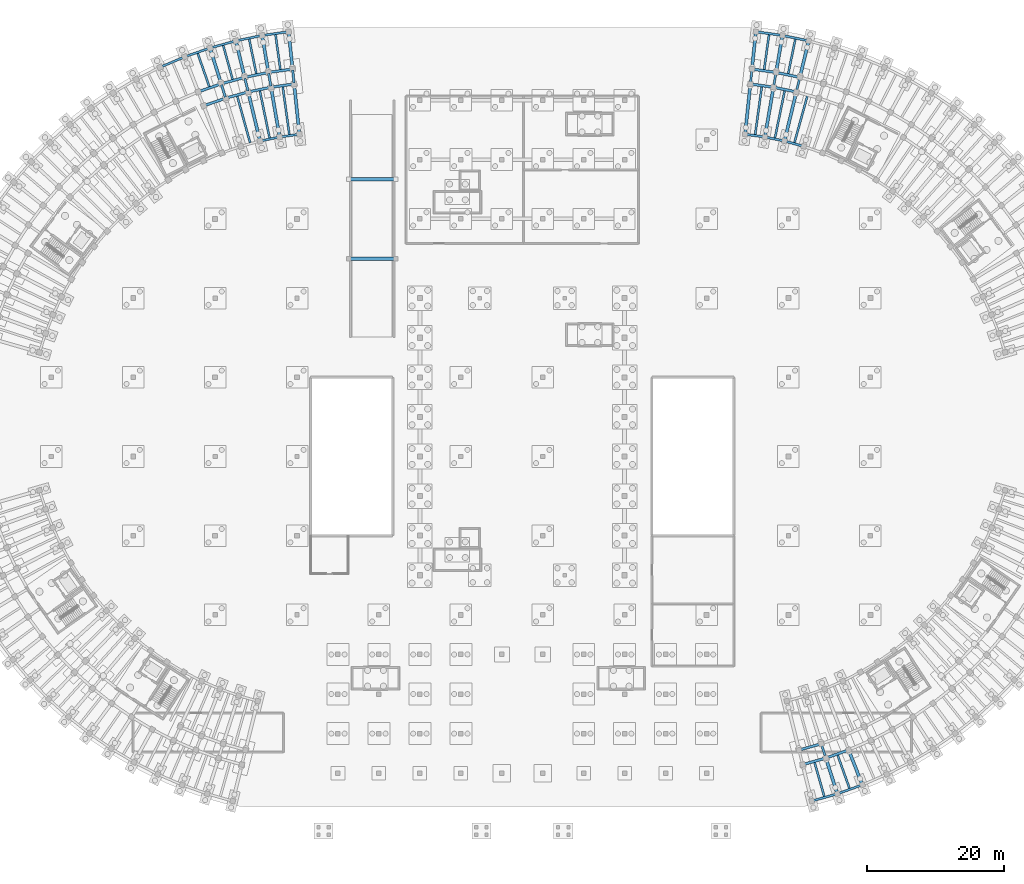
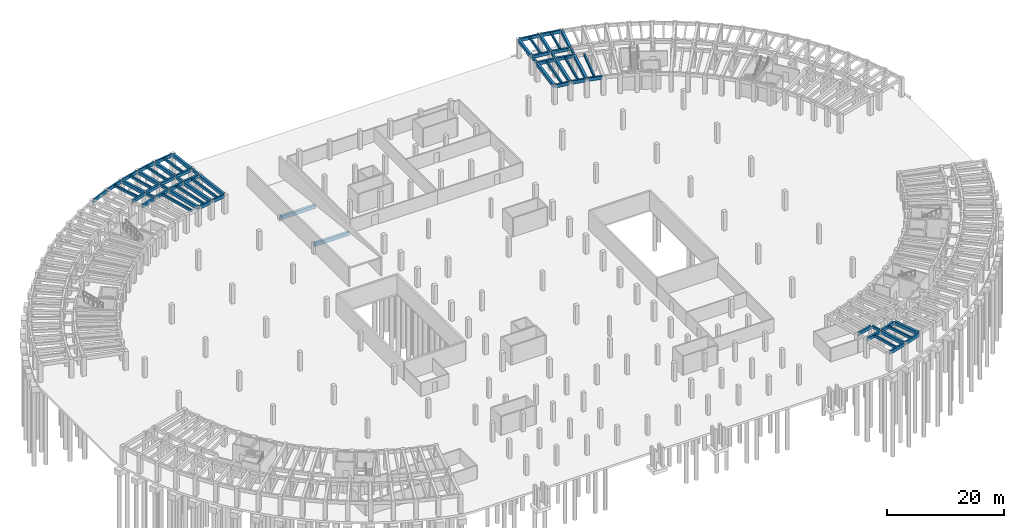
# One storey, part 13 of 29: 68 beams.
"""IFC4 building model written with IfcOpenShell, lengths in metres."""

from ifc_helpers import new_model, si_unit, direction, frame, origin, origin_2d, place, context, subcontext, project, spatial, rectangle, extrude, material, material_profile, profile_set, type_object, element, save


model = new_model("IFC4")

# Units and contexts
model_context = context("Model", 3, precision=1e-05, world=origin(), true_north=direction((0.0, 1.0)))
body_context = subcontext(model_context, "Body", "Model", "MODEL_VIEW")
ifc_project = project(units=[si_unit("LENGTHUNIT", "METRE"), si_unit("AREAUNIT", "SQUARE_METRE"), si_unit("VOLUMEUNIT", "CUBIC_METRE"), si_unit("PLANEANGLEUNIT", "RADIAN"), si_unit("MASSUNIT", "GRAM", prefix="KILO")], contexts=[model_context])

# Site, building, storey
site_placement = place(None, origin())
site = spatial("IfcSite", under=ifc_project, at=site_placement, CompositionType="ELEMENT")
building_placement = place(site_placement, origin())
building = spatial("IfcBuilding", under=site, at=building_placement, Name="Tanwirah Colonnade Gardens", CompositionType="ELEMENT")
storey_placement = place(building_placement, frame((0.0, 0.0, -4.199951171875)))
storey = spatial("IfcBuildingStorey", under=building, at=storey_placement, Name="B1", CompositionType="ELEMENT", Elevation=-4.199951171875)

# Beams
ifc_material_1 = material(Name="Precast concrete C40/50", Category="concrete")
ifc_material_profile_1 = material_profile(ifc_material_1, rectangle(XDim=0.320068359375, YDim=0.52001953125, at=origin_2d()), Name="PC-BM 320x520")
ifc_profile_set_1 = profile_set([ifc_material_profile_1], Name="Precast concrete C40/50")
beam_type_1 = type_object("IfcBeamType", Name="BM-PC320", PredefinedType="BEAM", material=ifc_profile_set_1)
for number, where, z_axis, x_axis, name in (
    (1, (133.188232421875, 110.75146484375, 3.659912109375), (0.234364199778, 0.972148868159, 0.0), (-0.972148868159, 0.234364199778, 0.0), "Block B B1 Corridor Tie Beam 16"),
    (2, (129.8310546875, 111.444580078125, 3.659912109375), (0.169855285462, 0.985469016256, 0.0), (-0.985469016256, 0.169855285462, 0.0), "Block B B1 Corridor Tie Beam 17"),
    (3, (126.435546875, 111.9150390625, 3.659912109375), (0.104464057197, 0.994528662611, 0.0), (-0.994528662611, 0.104464057197, 0.0), "Block B B1 Corridor Tie Beam 18"),
):
    element("IfcBeam", number, at=place(storey_placement, frame(where, z_axis=z_axis, x_axis=x_axis)), inside=storey, type_object=beam_type_1, Name=name, PredefinedType="BEAM", context=body_context, shape_type="SweptSolid", body=[
        extrude(rectangle(XDim=0.320068359375, YDim=0.52001953125, at=origin_2d()), origin(), (0.0, 0.0, 1.0), 1.900146484375),
    ])
beam_1_placement = place(storey_placement, frame((136.85302734375, 14.975341796875, 3.659912109375), z_axis=(0.304794376797, -0.952418179096, 0.0), x_axis=(0.952418179096, 0.304794376797, 0.0)))
element("IfcBeam", 4, at=beam_1_placement, inside=storey, type_object=beam_type_1, Name="Block D B1 Corridor Tie Beam 1", PredefinedType="BEAM", context=body_context, shape_type="SweptSolid", body=[
    extrude(rectangle(XDim=0.320068359375, YDim=0.52001953125, at=origin_2d()), origin(), (0.0, 0.0, 1.0), 1.89990234375),
])
ifc_material_profile_2 = material_profile(ifc_material_1, rectangle(XDim=0.35009765625, YDim=0.550048828125, at=origin_2d()), Name="PC-BM 350x550")
ifc_profile_set_2 = profile_set([ifc_material_profile_2], Name="Precast concrete C40/50")
beam_type_2 = type_object("IfcBeamType", Name="BM-PC350A", PredefinedType="BEAM", material=ifc_profile_set_2)
for number, where, z_axis, x_axis, name in (
    (5, (59.564453125, 111.9150390625, 3.64501953125), (-0.104464057197, 0.994528662611, 0.0), (-0.994528662611, -0.104464057197, 0.0), "Block A B1 Corridor Tie Beam 0"),
    (6, (56.1689453125, 111.444580078125, 3.64501953125), (-0.169855285462, 0.985469016256, 0.0), (-0.985469016256, -0.169855285462, 0.0), "Block A B1 Corridor Tie Beam 1"),
    (7, (52.811767578125, 110.75146484375, 3.64501953125), (-0.234364199778, 0.972148868159, 0.0), (-0.972148868159, -0.234364199778, 0.0), "Block A B1 Corridor Tie Beam 2"),
):
    element("IfcBeam", number, at=place(storey_placement, frame(where, z_axis=z_axis, x_axis=x_axis)), inside=storey, type_object=beam_type_2, Name=name, PredefinedType="BEAM", context=body_context, shape_type="SweptSolid", body=[
        extrude(rectangle(XDim=0.35009765625, YDim=0.550048828125, at=origin_2d()), origin(), (0.0, 0.0, 1.0), 1.900146484375),
    ])
beam_2_placement = place(storey_placement, frame((49.507568359375, 109.838623046875, 3.64501953125), z_axis=(-0.297857918398, 0.954610213882, 0.0), x_axis=(-0.954610213882, -0.297857918398, 0.0)))
element("IfcBeam", 8, at=beam_2_placement, inside=storey, type_object=beam_type_2, Name="Block A B1 Corridor Tie Beam 3", PredefinedType="BEAM", context=body_context, shape_type="SweptSolid", body=[
    extrude(rectangle(XDim=0.35009765625, YDim=0.550048828125, at=origin_2d()), origin(), (0.0, 0.0, 1.0), 1.89990234375),
])
ifc_material_profile_3 = material_profile(ifc_material_1, rectangle(XDim=0.3798828125, YDim=0.6201171875, at=origin_2d()), Name="PC-BM 380x620")
ifc_profile_set_3 = profile_set([ifc_material_profile_3], Name="Precast concrete C40/50")
beam_type_3 = type_object("IfcBeamType", Name="BM-PC380", PredefinedType="BEAM", material=ifc_profile_set_3)
beam_3_placement = place(storey_placement, frame((59.431640625, 111.745361328125, 3.60986328125), z_axis=(-0.990535787723, -0.137254702069, 0.0), x_axis=(0.137254702069, -0.990535787723, 0.0)))
element("IfcBeam", 9, at=beam_3_placement, inside=storey, type_object=beam_type_3, Name="Block A B1 Circumferential Beam 0-R1", PredefinedType="BEAM", context=body_context, shape_type="SweptSolid", body=[
    extrude(rectangle(XDim=0.3798828125, YDim=0.6201171875, at=origin_2d()), origin(), (0.0, 0.0, 1.0), 3.1181640625),
])
beam_4_placement = place(storey_placement, frame((59.20166015625, 113.933349609375, 3.60986328125), z_axis=(-0.990530465749, -0.13729310406, 0.0), x_axis=(0.13729310406, -0.990530465749, 0.0)))
element("IfcBeam", 10, at=beam_4_placement, inside=storey, type_object=beam_type_3, Name="Block A B1 Circumferential Beam 0-R2", PredefinedType="BEAM", context=body_context, shape_type="SweptSolid", body=[
    extrude(rectangle(XDim=0.3798828125, YDim=0.6201171875, at=origin_2d()), origin(), (0.0, 0.0, 1.0), 3.26318359375),
])
beam_5_placement = place(storey_placement, frame((56.047607421875, 111.2666015625, 3.60986328125), z_axis=(-0.979335880607, -0.202240532428, 0.0), x_axis=(0.202240532428, -0.979335880607, 0.0)))
element("IfcBeam", 11, at=beam_5_placement, inside=storey, type_object=beam_type_3, Name="Block A B1 Circumferential Beam 1-R1", PredefinedType="BEAM", context=body_context, shape_type="SweptSolid", body=[
    extrude(rectangle(XDim=0.3798828125, YDim=0.6201171875, at=origin_2d()), origin(), (0.0, 0.0, 1.0), 3.1181640625),
])
beam_6_placement = place(storey_placement, frame((55.673828125, 113.4345703125, 3.60986328125), z_axis=(-0.979335599813, -0.202241892146, 0.0), x_axis=(0.202241892146, -0.979335599813, 0.0)))
element("IfcBeam", 12, at=beam_6_placement, inside=storey, type_object=beam_type_3, Name="Block A B1 Circumferential Beam 1-R2", PredefinedType="BEAM", context=body_context, shape_type="SweptSolid", body=[
    extrude(rectangle(XDim=0.3798828125, YDim=0.6201171875, at=origin_2d()), origin(), (0.0, 0.0, 1.0), 3.262939453125),
])
beam_7_placement = place(storey_placement, frame((52.702392578125, 110.565673828125, 3.60986328125), z_axis=(-0.963894965188, -0.266282737114, 0.0), x_axis=(0.266282737114, -0.963894965188, 0.0)))
element("IfcBeam", 13, at=beam_7_placement, inside=storey, type_object=beam_type_3, Name="Block A B1 Circumferential Beam 2-R1", PredefinedType="BEAM", context=body_context, shape_type="SweptSolid", body=[
    extrude(rectangle(XDim=0.3798828125, YDim=0.6201171875, at=origin_2d()), origin(), (0.0, 0.0, 1.0), 3.1181640625),
])
beam_8_placement = place(storey_placement, frame((52.186767578125, 112.704345703125, 3.60986328125), z_axis=(-0.9638953302, -0.266281415833, 0.0), x_axis=(0.266281415833, -0.9638953302, 0.0)))
element("IfcBeam", 14, at=beam_8_placement, inside=storey, type_object=beam_type_3, Name="Block A B1 Circumferential Beam 2-R2", PredefinedType="BEAM", context=body_context, shape_type="SweptSolid", body=[
    extrude(rectangle(XDim=0.3798828125, YDim=0.6201171875, at=origin_2d()), origin(), (0.0, 0.0, 1.0), 3.26318359375),
])
beam_9_placement = place(storey_placement, frame((49.41064453125, 109.64599609375, 3.60986328125), z_axis=(-0.944248304077, -0.329234172358, 0.0), x_axis=(0.329234172358, -0.944248304077, 0.0)))
element("IfcBeam", 15, at=beam_9_placement, inside=storey, type_object=beam_type_3, Name="Block A B1 Circumferential Beam 3-R1", PredefinedType="BEAM", context=body_context, shape_type="SweptSolid", body=[
    extrude(rectangle(XDim=0.3798828125, YDim=0.6201171875, at=origin_2d()), origin(), (0.0, 0.0, 1.0), 3.1181640625),
])
beam_10_placement = place(storey_placement, frame((48.755126953125, 111.74609375, 3.60986328125), z_axis=(-0.944231021702, -0.329283734272, 0.0), x_axis=(0.329283734272, -0.944231021702, 0.0)))
element("IfcBeam", 16, at=beam_10_placement, inside=storey, type_object=beam_type_3, Name="Block A B1 Circumferential Beam 3-R2", PredefinedType="BEAM", context=body_context, shape_type="SweptSolid", body=[
    extrude(rectangle(XDim=0.3798828125, YDim=0.6201171875, at=origin_2d()), origin(), (0.0, 0.0, 1.0), 3.262939453125),
])
beam_11_placement = place(storey_placement, frame((133.006103515625, 110.635986328125, 3.60986328125), z_axis=(-0.979335880607, 0.202240532428, 0.0), x_axis=(-0.202240532428, -0.979335880607, 0.0)))
element("IfcBeam", 17, at=beam_11_placement, inside=storey, type_object=beam_type_3, Name="Block B B1 Circumferential Beam 16-R1", PredefinedType="BEAM", context=body_context, shape_type="SweptSolid", body=[
    extrude(rectangle(XDim=0.3798828125, YDim=0.6201171875, at=origin_2d()), origin(), (0.0, 0.0, 1.0), 3.1181640625),
])
beam_12_placement = place(storey_placement, frame((133.521728515625, 112.774658203125, 3.60986328125), z_axis=(-0.979335599813, 0.202241892146, 0.0), x_axis=(-0.202241892146, -0.979335599813, 0.0)))
element("IfcBeam", 18, at=beam_12_placement, inside=storey, type_object=beam_type_3, Name="Block B B1 Circumferential Beam 16-R2", PredefinedType="BEAM", context=body_context, shape_type="SweptSolid", body=[
    extrude(rectangle(XDim=0.3798828125, YDim=0.6201171875, at=origin_2d()), origin(), (0.0, 0.0, 1.0), 3.262939453125),
])
beam_13_placement = place(storey_placement, frame((129.656982421875, 111.3173828125, 3.60986328125), z_axis=(-0.990535787723, 0.137254702069, 0.0), x_axis=(-0.137254702069, -0.990535787723, 0.0)))
element("IfcBeam", 19, at=beam_13_placement, inside=storey, type_object=beam_type_3, Name="Block B B1 Circumferential Beam 17-R1", PredefinedType="BEAM", context=body_context, shape_type="SweptSolid", body=[
    extrude(rectangle(XDim=0.3798828125, YDim=0.6201171875, at=origin_2d()), origin(), (0.0, 0.0, 1.0), 3.1181640625),
])
beam_14_placement = place(storey_placement, frame((130.030517578125, 113.4853515625, 3.60986328125), z_axis=(-0.990530465749, 0.13729310406, 0.0), x_axis=(-0.13729310406, -0.990530465749, 0.0)))
element("IfcBeam", 20, at=beam_14_placement, inside=storey, type_object=beam_type_3, Name="Block B B1 Circumferential Beam 17-R2", PredefinedType="BEAM", context=body_context, shape_type="SweptSolid", body=[
    extrude(rectangle(XDim=0.3798828125, YDim=0.6201171875, at=origin_2d()), origin(), (0.0, 0.0, 1.0), 3.26318359375),
])
beam_15_placement = place(storey_placement, frame((133.68798828125, 14.231201171875, 3.60986328125), z_axis=(0.961865763464, 0.273521942585, 0.0), x_axis=(-0.273521942585, 0.961865763464, 0.0)))
element("IfcBeam", 21, at=beam_15_placement, inside=storey, type_object=beam_type_3, Name="Block D B1 Circumferential Beam 0-R1", PredefinedType="BEAM", context=body_context, shape_type="SweptSolid", body=[
    extrude(rectangle(XDim=0.3798828125, YDim=0.6201171875, at=origin_2d()), origin(), (0.0, 0.0, 1.0), 3.0927734375),
])
for number, where, z_axis, x_axis, name in (
    (22, (134.22021484375, 12.096435546875, 3.60986328125), (0.96185623635, 0.273555443366, 0.0), (-0.273555443366, 0.96185623635, 0.0), "Block D B1 Circumferential Beam 0-R2"),
    (23, (137.619140625, 13.073486328125, 3.60986328125), (0.941917534978, 0.335844245597, 0.0), (-0.335844245597, 0.941917534978, 0.0), "Block D B1 Circumferential Beam 1-R2"),
):
    element("IfcBeam", number, at=place(storey_placement, frame(where, z_axis=z_axis, x_axis=x_axis)), inside=storey, type_object=beam_type_3, Name=name, PredefinedType="BEAM", context=body_context, shape_type="SweptSolid", body=[
        extrude(rectangle(XDim=0.3798828125, YDim=0.6201171875, at=origin_2d()), origin(), (0.0, 0.0, 1.0), 3.237060546875),
    ])
ifc_material_2 = material(Name="Precast concrete C45/55", Category="concrete")
ifc_material_profile_4 = material_profile(ifc_material_2, rectangle(XDim=0.449951171875, YDim=0.699951171875, at=origin_2d()), Name="PC-BM 450x700")
ifc_profile_set_4 = profile_set([ifc_material_profile_4], Name="Precast concrete C45/55")
beam_type_4 = type_object("IfcBeamType", Name="BM-PC450", PredefinedType="BEAM", material=ifc_profile_set_4)
beam_16_placement = place(storey_placement, frame((59.595947265625, 111.61669921875, 3.570068359375), z_axis=(0.104534425586, -0.994521268685, 0.0), x_axis=(0.994521268685, 0.104534425586, 0.0)))
element("IfcBeam", 24, at=beam_16_placement, inside=storey, type_object=beam_type_4, Name="Block A B1 Inner Radial Precast Girder 0", PredefinedType="BEAM", context=body_context, shape_type="SweptSolid", body=[
    extrude(rectangle(XDim=0.449951171875, YDim=0.699951171875, at=origin_2d()), origin(), (0.0, 0.0, 1.0), 7.099853515625),
])
beam_17_placement = place(storey_placement, frame((59.33447265625, 114.10302734375, 3.570068359375), z_axis=(-0.104508820017, 0.994523959761, 0.0), x_axis=(-0.994523959761, -0.104508820017, 0.0)))
element("IfcBeam", 25, at=beam_17_placement, inside=storey, type_object=beam_type_4, Name="Block A B1 Outer Radial Precast Girder 0", PredefinedType="BEAM", context=body_context, shape_type="SweptSolid", body=[
    extrude(rectangle(XDim=0.449951171875, YDim=0.699951171875, at=origin_2d()), origin(), (0.0, 0.0, 1.0), 5.2001953125),
])
beam_18_placement = place(storey_placement, frame((56.219970703125, 111.14892578125, 3.570068359375), z_axis=(0.16983322007, -0.985472819189, 0.0), x_axis=(0.985472819189, 0.16983322007, 0.0)))
element("IfcBeam", 26, at=beam_18_placement, inside=storey, type_object=beam_type_4, Name="Block A B1 Inner Radial Precast Girder 1", PredefinedType="BEAM", context=body_context, shape_type="SweptSolid", body=[
    extrude(rectangle(XDim=0.449951171875, YDim=0.699951171875, at=origin_2d()), origin(), (0.0, 0.0, 1.0), 7.099853515625),
])
beam_19_placement = place(storey_placement, frame((55.79541015625, 113.61279296875, 3.570068359375), z_axis=(-0.169825156661, 0.985474208777, 0.0), x_axis=(-0.985474208777, -0.169825156661, 0.0)))
element("IfcBeam", 27, at=beam_19_placement, inside=storey, type_object=beam_type_4, Name="Block A B1 Outer Radial Precast Girder 1", PredefinedType="BEAM", context=body_context, shape_type="SweptSolid", body=[
    extrude(rectangle(XDim=0.449951171875, YDim=0.699951171875, at=origin_2d()), origin(), (0.0, 0.0, 1.0), 5.19970703125),
])
beam_20_placement = place(storey_placement, frame((52.882080078125, 110.459716796875, 3.570068359375), z_axis=(0.23441195378, -0.972137354454, 0.0), x_axis=(0.972137354454, 0.23441195378, 0.0)))
element("IfcBeam", 28, at=beam_20_placement, inside=storey, type_object=beam_type_4, Name="Block A B1 Inner Radial Precast Girder 2", PredefinedType="BEAM", context=body_context, shape_type="SweptSolid", body=[
    extrude(rectangle(XDim=0.449951171875, YDim=0.699951171875, at=origin_2d()), origin(), (0.0, 0.0, 1.0), 7.099853515625),
])
for number, where, z_axis, x_axis, name in (
    (29, (52.296142578125, 112.89013671875, 3.570068359375), (-0.234374333708, 0.97214642503, 0.0), (-0.97214642503, -0.234374333708, 0.0), "Block A B1 Outer Radial Precast Girder 2"),
    (30, (48.852294921875, 111.938720703125, 3.570068359375), (-0.297943486107, 0.954583510798, 0.0), (-0.954583510798, -0.297943486107, 0.0), "Block A B1 Outer Radial Precast Girder 3"),
):
    element("IfcBeam", number, at=place(storey_placement, frame(where, z_axis=z_axis, x_axis=x_axis)), inside=storey, type_object=beam_type_4, Name=name, PredefinedType="BEAM", context=body_context, shape_type="SweptSolid", body=[
        extrude(rectangle(XDim=0.449951171875, YDim=0.699951171875, at=origin_2d()), origin(), (0.0, 0.0, 1.0), 5.199951171875),
    ])
beam_21_placement = place(storey_placement, frame((133.117919921875, 110.459716796875, 3.570068359375), z_axis=(-0.23441195378, -0.972137354454, 0.0), x_axis=(0.972137354454, -0.23441195378, 0.0)))
element("IfcBeam", 31, at=beam_21_placement, inside=storey, type_object=beam_type_4, Name="Block B B1 Inner Radial Precast Girder 16", PredefinedType="BEAM", context=body_context, shape_type="SweptSolid", body=[
    extrude(rectangle(XDim=0.449951171875, YDim=0.699951171875, at=origin_2d()), origin(), (0.0, 0.0, 1.0), 7.099853515625),
])
beam_22_placement = place(storey_placement, frame((133.703857421875, 112.89013671875, 3.570068359375), z_axis=(0.234374333708, 0.97214642503, 0.0), x_axis=(-0.97214642503, 0.234374333708, 0.0)))
element("IfcBeam", 32, at=beam_22_placement, inside=storey, type_object=beam_type_4, Name="Block B B1 Outer Radial Precast Girder 16", PredefinedType="BEAM", context=body_context, shape_type="SweptSolid", body=[
    extrude(rectangle(XDim=0.449951171875, YDim=0.699951171875, at=origin_2d()), origin(), (0.0, 0.0, 1.0), 5.199951171875),
])
beam_23_placement = place(storey_placement, frame((129.780029296875, 111.14892578125, 3.570068359375), z_axis=(-0.16983322007, -0.985472819189, 0.0), x_axis=(0.985472819189, -0.16983322007, 0.0)))
element("IfcBeam", 33, at=beam_23_placement, inside=storey, type_object=beam_type_4, Name="Block B B1 Inner Radial Precast Girder 17", PredefinedType="BEAM", context=body_context, shape_type="SweptSolid", body=[
    extrude(rectangle(XDim=0.449951171875, YDim=0.699951171875, at=origin_2d()), origin(), (0.0, 0.0, 1.0), 7.099853515625),
])
beam_24_placement = place(storey_placement, frame((130.20458984375, 113.61279296875, 3.570068359375), z_axis=(0.169825156661, 0.985474208777, 0.0), x_axis=(-0.985474208777, 0.169825156661, 0.0)))
element("IfcBeam", 34, at=beam_24_placement, inside=storey, type_object=beam_type_4, Name="Block B B1 Outer Radial Precast Girder 17", PredefinedType="BEAM", context=body_context, shape_type="SweptSolid", body=[
    extrude(rectangle(XDim=0.449951171875, YDim=0.699951171875, at=origin_2d()), origin(), (0.0, 0.0, 1.0), 5.19970703125),
])
beam_25_placement = place(storey_placement, frame((126.404052734375, 111.61669921875, 3.570068359375), z_axis=(-0.104534425586, -0.994521268685, 0.0), x_axis=(0.994521268685, -0.104534425586, 0.0)))
element("IfcBeam", 35, at=beam_25_placement, inside=storey, type_object=beam_type_4, Name="Block B B1 Inner Radial Precast Girder 18", PredefinedType="BEAM", context=body_context, shape_type="SweptSolid", body=[
    extrude(rectangle(XDim=0.449951171875, YDim=0.699951171875, at=origin_2d()), origin(), (0.0, 0.0, 1.0), 7.099853515625),
])
beam_26_placement = place(storey_placement, frame((126.66552734375, 114.10302734375, 3.570068359375), z_axis=(0.104508820017, 0.994523959761, 0.0), x_axis=(-0.994523959761, 0.104508820017, 0.0)))
element("IfcBeam", 36, at=beam_26_placement, inside=storey, type_object=beam_type_4, Name="Block B B1 Outer Radial Precast Girder 18", PredefinedType="BEAM", context=body_context, shape_type="SweptSolid", body=[
    extrude(rectangle(XDim=0.449951171875, YDim=0.699951171875, at=origin_2d()), origin(), (0.0, 0.0, 1.0), 5.2001953125),
])
for number, where, z_axis, x_axis, name in (
    (37, (137.523681640625, 12.880126953125, 3.570068359375), (0.304852387649, -0.952399612424, 0.0), (0.952399612424, 0.304852387649, 0.0), "Block D B1 Outer Radial Precast Girder 1"),
    (38, (140.8642578125, 14.0712890625, 3.570068359375), (0.366536834267, -0.930403541011, 0.0), (0.930403541011, 0.366536834267, 0.0), "Block D B1 Outer Radial Precast Girder 2"),
):
    element("IfcBeam", number, at=place(storey_placement, frame(where, z_axis=z_axis, x_axis=x_axis)), inside=storey, type_object=beam_type_4, Name=name, PredefinedType="BEAM", context=body_context, shape_type="SweptSolid", body=[
        extrude(rectangle(XDim=0.449951171875, YDim=0.699951171875, at=origin_2d()), origin(), (0.0, 0.0, 1.0), 5.199951171875),
    ])
ifc_material_3 = material(Name="Concrete C45/55", Category="concrete")
ifc_material_profile_5 = material_profile(ifc_material_3, rectangle(XDim=0.5, YDim=0.75, at=origin_2d()), Name="RC-BM 500x750")
ifc_profile_set_5 = profile_set([ifc_material_profile_5], Name="Concrete C45/55")
beam_type_5 = type_object("IfcBeamType", Name="BM-RC500", PredefinedType="BEAM", material=ifc_profile_set_5)
for number, where, z_axis, x_axis, name in (
    (39, (67.550048828125, 86.199951171875, 1.879150390625), (1.0, 0.0, 0.0), (0.0, 1.0, 0.0), "Vehicle Ramp Transverse Support Girder 1"),
    (40, (67.550048828125, 97.800048828125, 0.458251953125), (1.0, 0.0, 0.0), (0.0, 1.0, 0.0), "Vehicle Ramp Transverse Support Girder 2"),
):
    element("IfcBeam", number, at=place(storey_placement, frame(where, z_axis=z_axis, x_axis=x_axis)), inside=storey, type_object=beam_type_5, Name=name, PredefinedType="BEAM", context=body_context, shape_type="SweptSolid", body=[
        extrude(rectangle(XDim=0.5, YDim=0.75, at=origin_2d()), origin(), (0.0, 0.0, 1.0), 6.89990234375),
    ])
ifc_material_profile_6 = material_profile(ifc_material_1, rectangle(XDim=0.300048828125, YDim=0.5, at=origin_2d()), Name="PC-JST 300x500")
ifc_profile_set_6 = profile_set([ifc_material_profile_6], Name="Precast concrete C40/50")
beam_type_6 = type_object("IfcBeamType", Name="JST-PC300", PredefinedType="JOIST", material=ifc_profile_set_6)
beam_27_placement = place(storey_placement, frame((57.56494140625, 113.857421875, 3.669921875), z_axis=(-0.137248344923, 0.990536668587, 0.0), x_axis=(-0.990536668587, -0.137248344923, 0.0)))
element("IfcBeam", 41, at=beam_27_placement, inside=storey, type_object=beam_type_6, Name="Block A B1 Precast Floor Joist 0", PredefinedType="JOIST", context=body_context, shape_type="SweptSolid", body=[
    extrude(rectangle(XDim=0.300048828125, YDim=0.5, at=origin_2d()), origin(), (0.0, 0.0, 1.0), 5.260009765625),
])
beam_28_placement = place(storey_placement, frame((58.882568359375, 104.34814453125, 3.669921875), z_axis=(-0.137243132462, 0.99053739081, 0.0), x_axis=(-0.99053739081, -0.137243132462, 0.0)))
element("IfcBeam", 42, at=beam_28_placement, inside=storey, type_object=beam_type_6, Name="Block A B1 Inner Precast Floor Joist 0", PredefinedType="JOIST", context=body_context, shape_type="SweptSolid", body=[
    extrude(rectangle(XDim=0.300048828125, YDim=0.5, at=origin_2d()), origin(), (0.0, 0.0, 1.0), 7.16015625),
])
beam_29_placement = place(storey_placement, frame((54.0458984375, 113.2509765625, 3.669921875), z_axis=(-0.202235688429, 0.979336880918, 0.0), x_axis=(-0.979336880918, -0.202235688429, 0.0)))
element("IfcBeam", 43, at=beam_29_placement, inside=storey, type_object=beam_type_6, Name="Block A B1 Precast Floor Joist 1", PredefinedType="JOIST", context=body_context, shape_type="SweptSolid", body=[
    extrude(rectangle(XDim=0.300048828125, YDim=0.5, at=origin_2d()), origin(), (0.0, 0.0, 1.0), 5.259765625),
])
beam_30_placement = place(storey_placement, frame((55.987060546875, 103.84912109375, 3.669921875), z_axis=(-0.202197428816, 0.979344780851, 0.0), x_axis=(-0.979344780851, -0.202197428816, 0.0)))
element("IfcBeam", 44, at=beam_30_placement, inside=storey, type_object=beam_type_6, Name="Block A B1 Inner Precast Floor Joist 1", PredefinedType="JOIST", context=body_context, shape_type="SweptSolid", body=[
    extrude(rectangle(XDim=0.300048828125, YDim=0.5, at=origin_2d()), origin(), (0.0, 0.0, 1.0), 7.16015625),
])
beam_31_placement = place(storey_placement, frame((50.57421875, 112.413818359375, 3.669921875), z_axis=(-0.266281476085, 0.963895313555, 0.0), x_axis=(-0.963895313555, -0.266281476085, 0.0)))
element("IfcBeam", 45, at=beam_31_placement, inside=storey, type_object=beam_type_6, Name="Block A B1 Precast Floor Joist 2", PredefinedType="JOIST", context=body_context, shape_type="SweptSolid", body=[
    extrude(rectangle(XDim=0.300048828125, YDim=0.5, at=origin_2d()), origin(), (0.0, 0.0, 1.0), 5.260009765625),
])
beam_32_placement = place(storey_placement, frame((53.130859375, 103.16064453125, 3.669921875), z_axis=(-0.266307034535, 0.963888252526, 0.0), x_axis=(-0.963888252526, -0.266307034535, 0.0)))
element("IfcBeam", 46, at=beam_32_placement, inside=storey, type_object=beam_type_6, Name="Block A B1 Inner Precast Floor Joist 2", PredefinedType="JOIST", context=body_context, shape_type="SweptSolid", body=[
    extrude(rectangle(XDim=0.300048828125, YDim=0.5, at=origin_2d()), origin(), (0.0, 0.0, 1.0), 7.159912109375),
])
beam_33_placement = place(storey_placement, frame((47.16552734375, 111.349853515625, 3.669921875), z_axis=(-0.3292586038, 0.944239785131, 0.0), x_axis=(-0.944239785131, -0.3292586038, 0.0)))
element("IfcBeam", 47, at=beam_33_placement, inside=storey, type_object=beam_type_6, Name="Block A B1 Precast Floor Joist 3", PredefinedType="JOIST", context=body_context, shape_type="SweptSolid", body=[
    extrude(rectangle(XDim=0.300048828125, YDim=0.5, at=origin_2d()), origin(), (0.0, 0.0, 1.0), 5.260009765625),
])
beam_34_placement = place(storey_placement, frame((132.869140625, 103.16064453125, 3.669921875), z_axis=(0.266307034535, 0.963888252526, 0.0), x_axis=(-0.963888252526, 0.266307034535, 0.0)))
element("IfcBeam", 48, at=beam_34_placement, inside=storey, type_object=beam_type_6, Name="Block B B1 Inner Precast Floor Joist 15", PredefinedType="JOIST", context=body_context, shape_type="SweptSolid", body=[
    extrude(rectangle(XDim=0.300048828125, YDim=0.5, at=origin_2d()), origin(), (0.0, 0.0, 1.0), 7.159912109375),
])
beam_35_placement = place(storey_placement, frame((131.9541015625, 113.2509765625, 3.669921875), z_axis=(0.202235688429, 0.979336880918, 0.0), x_axis=(-0.979336880918, 0.202235688429, 0.0)))
element("IfcBeam", 49, at=beam_35_placement, inside=storey, type_object=beam_type_6, Name="Block B B1 Precast Floor Joist 16", PredefinedType="JOIST", context=body_context, shape_type="SweptSolid", body=[
    extrude(rectangle(XDim=0.300048828125, YDim=0.5, at=origin_2d()), origin(), (0.0, 0.0, 1.0), 5.259765625),
])
beam_36_placement = place(storey_placement, frame((130.012939453125, 103.84912109375, 3.669921875), z_axis=(0.202197428816, 0.979344780851, 0.0), x_axis=(-0.979344780851, 0.202197428816, 0.0)))
element("IfcBeam", 50, at=beam_36_placement, inside=storey, type_object=beam_type_6, Name="Block B B1 Inner Precast Floor Joist 16", PredefinedType="JOIST", context=body_context, shape_type="SweptSolid", body=[
    extrude(rectangle(XDim=0.300048828125, YDim=0.5, at=origin_2d()), origin(), (0.0, 0.0, 1.0), 7.16015625),
])
beam_37_placement = place(storey_placement, frame((128.43505859375, 113.857421875, 3.669921875), z_axis=(0.137248344923, 0.990536668587, 0.0), x_axis=(-0.990536668587, 0.137248344923, 0.0)))
element("IfcBeam", 51, at=beam_37_placement, inside=storey, type_object=beam_type_6, Name="Block B B1 Precast Floor Joist 17", PredefinedType="JOIST", context=body_context, shape_type="SweptSolid", body=[
    extrude(rectangle(XDim=0.300048828125, YDim=0.5, at=origin_2d()), origin(), (0.0, 0.0, 1.0), 5.260009765625),
])
beam_38_placement = place(storey_placement, frame((127.117431640625, 104.34814453125, 3.669921875), z_axis=(0.137243132462, 0.99053739081, 0.0), x_axis=(-0.99053739081, 0.137243132462, 0.0)))
element("IfcBeam", 52, at=beam_38_placement, inside=storey, type_object=beam_type_6, Name="Block B B1 Inner Precast Floor Joist 17", PredefinedType="JOIST", context=body_context, shape_type="SweptSolid", body=[
    extrude(rectangle(XDim=0.300048828125, YDim=0.5, at=origin_2d()), origin(), (0.0, 0.0, 1.0), 7.16015625),
])
for number, where, z_axis, x_axis, name in (
    (53, (135.817626953125, 12.39599609375, 3.669921875), (0.27352550206, -0.961864751263, 0.0), (0.961864751263, 0.27352550206, 0.0), "Block D B1 Precast Floor Joist 0"),
    (54, (139.193603515625, 13.4765625, 3.669921875), (0.335862957845, -0.941910862846, 0.0), (0.941910862846, 0.335862957845, 0.0), "Block D B1 Precast Floor Joist 1"),
):
    element("IfcBeam", number, at=place(storey_placement, frame(where, z_axis=z_axis, x_axis=x_axis)), inside=storey, type_object=beam_type_6, Name=name, PredefinedType="JOIST", context=body_context, shape_type="SweptSolid", body=[
        extrude(rectangle(XDim=0.300048828125, YDim=0.5, at=origin_2d()), origin(), (0.0, 0.0, 1.0), 5.260009765625),
    ])
ifc_material_profile_7 = material_profile(ifc_material_1, rectangle(XDim=0.324951171875, YDim=0.68505859375, at=origin_2d()), Name="PC-SP 325x685")
ifc_profile_set_7 = profile_set([ifc_material_profile_7], Name="Precast concrete C40/50")
beam_type_7 = type_object("IfcBeamType", Name="SP-PC260", PredefinedType="SPANDREL", material=ifc_profile_set_7)
for number, where, z_axis, x_axis, name in (
    (55, (135.55078125, 6.760009765625, 3.577392578125), (0.96186131547, 0.273537583893, 0.0), (-0.273537583893, 0.96186131547, 0.0), "Block D B1 Circumferential Beam 0-R3"),
    (56, (139.2958984375, 7.835205078125, 3.577392578125), (0.941915315404, 0.335850470607, 0.0), (-0.335850470607, 0.941915315404, 0.0), "Block D B1 Circumferential Beam 1-R3"),
):
    element("IfcBeam", number, at=place(storey_placement, frame(where, z_axis=z_axis, x_axis=x_axis)), inside=storey, type_object=beam_type_7, Name=name, PredefinedType="SPANDREL", context=body_context, shape_type="SweptSolid", body=[
        extrude(rectangle(XDim=0.324951171875, YDim=0.68505859375, at=origin_2d()), origin(), (0.0, 0.0, 1.0), 3.596923828125),
    ])
ifc_material_profile_8 = material_profile(ifc_material_1, rectangle(XDim=0.3349609375, YDim=0.695068359375, at=origin_2d()), Name="PC-SP 335x695")
ifc_profile_set_8 = profile_set([ifc_material_profile_8], Name="Precast concrete C40/50")
beam_type_8 = type_object("IfcBeamType", Name="SP-PC300", PredefinedType="SPANDREL", material=ifc_profile_set_8)
for number, where, z_axis, x_axis, name in (
    (57, (134.098388671875, 102.67138671875, 3.572509765625), (-0.96388669146, 0.266312684688, 0.0), (-0.266312684688, -0.96388669146, 0.0), "Block B B1 Circumferential Beam 15-R0"),
    (58, (131.271728515625, 103.442138671875, 3.572509765625), (-0.979351764611, 0.202163599974, 0.0), (-0.202163599974, -0.979351764611, 0.0), "Block B B1 Circumferential Beam 16-R0"),
):
    element("IfcBeam", number, at=place(storey_placement, frame(where, z_axis=z_axis, x_axis=x_axis)), inside=storey, type_object=beam_type_8, Name=name, PredefinedType="SPANDREL", context=body_context, shape_type="SweptSolid", body=[
        extrude(rectangle(XDim=0.3349609375, YDim=0.695068359375, at=origin_2d()), origin(), (0.0, 0.0, 1.0), 2.630126953125),
    ])
beam_39_placement = place(storey_placement, frame((134.810791015625, 118.121337890625, 3.572509765625), z_axis=(-0.979328544205, 0.202276055197, 0.0), x_axis=(-0.202276055197, -0.979328544205, 0.0)))
element("IfcBeam", 59, at=beam_39_placement, inside=storey, type_object=beam_type_8, Name="Block B B1 Circumferential Beam 16-R3", PredefinedType="SPANDREL", context=body_context, shape_type="SweptSolid", body=[
    extrude(rectangle(XDim=0.3349609375, YDim=0.695068359375, at=origin_2d()), origin(), (0.0, 0.0, 1.0), 3.625732421875),
])
beam_40_placement = place(storey_placement, frame((128.400146484375, 104.02490234375, 3.572509765625), z_axis=(-0.990531232354, 0.13728757311, 0.0), x_axis=(-0.13728757311, -0.990531232354, 0.0)))
element("IfcBeam", 60, at=beam_40_placement, inside=storey, type_object=beam_type_8, Name="Block B B1 Circumferential Beam 17-R0", PredefinedType="SPANDREL", context=body_context, shape_type="SweptSolid", body=[
    extrude(rectangle(XDim=0.3349609375, YDim=0.695068359375, at=origin_2d()), origin(), (0.0, 0.0, 1.0), 2.630126953125),
])
beam_41_placement = place(storey_placement, frame((130.964599609375, 118.905517578125, 3.572509765625), z_axis=(-0.990538603978, 0.137234376268, 0.0), x_axis=(-0.137234376268, -0.990538603978, 0.0)))
element("IfcBeam", 61, at=beam_41_placement, inside=storey, type_object=beam_type_8, Name="Block B B1 Circumferential Beam 17-R3", PredefinedType="SPANDREL", context=body_context, shape_type="SweptSolid", body=[
    extrude(rectangle(XDim=0.3349609375, YDim=0.695068359375, at=origin_2d()), origin(), (0.0, 0.0, 1.0), 3.625732421875),
])
ifc_material_profile_9 = material_profile(ifc_material_2, rectangle(XDim=0.320068359375, YDim=0.679931640625, at=origin_2d()), Name="PC-SP 320x680")
ifc_profile_set_9 = profile_set([ifc_material_profile_9], Name="Precast concrete C45/55")
beam_type_9 = type_object("IfcBeamType", Name="SP-PC320", PredefinedType="SPANDREL", material=ifc_profile_set_9)
beam_42_placement = place(storey_placement, frame((60.205078125, 104.385986328125, 3.579833984375), z_axis=(-0.990531232354, -0.13728757311, 0.0), x_axis=(0.13728757311, -0.990531232354, 0.0)))
element("IfcBeam", 62, at=beam_42_placement, inside=storey, type_object=beam_type_9, Name="Block A B1 Circumferential Beam 0-R0", PredefinedType="SPANDREL", context=body_context, shape_type="SweptSolid", body=[
    extrude(rectangle(XDim=0.320068359375, YDim=0.679931640625, at=origin_2d()), origin(), (0.0, 0.0, 1.0), 2.630126953125),
])
beam_43_placement = place(storey_placement, frame((58.626708984375, 119.403076171875, 3.579833984375), z_axis=(-0.990538603978, -0.137234376268, 0.0), x_axis=(0.137234376268, -0.990538603978, 0.0)))
element("IfcBeam", 63, at=beam_43_placement, inside=storey, type_object=beam_type_9, Name="Block A B1 Circumferential Beam 0-R3", PredefinedType="SPANDREL", context=body_context, shape_type="SweptSolid", body=[
    extrude(rectangle(XDim=0.320068359375, YDim=0.679931640625, at=origin_2d()), origin(), (0.0, 0.0, 1.0), 3.625732421875),
])
beam_44_placement = place(storey_placement, frame((57.30419921875, 103.973876953125, 3.579833984375), z_axis=(-0.979351764611, -0.202163599974, 0.0), x_axis=(0.202163599974, -0.979351764611, 0.0)))
element("IfcBeam", 64, at=beam_44_placement, inside=storey, type_object=beam_type_9, Name="Block A B1 Circumferential Beam 1-R0", PredefinedType="SPANDREL", context=body_context, shape_type="SweptSolid", body=[
    extrude(rectangle(XDim=0.320068359375, YDim=0.679931640625, at=origin_2d()), origin(), (0.0, 0.0, 1.0), 2.630126953125),
])
for number, where, z_axis, x_axis, name in (
    (65, (54.739990234375, 118.854736328125, 3.579833984375), (-0.979328544205, -0.202276055197, 0.0), (0.202276055197, -0.979328544205, 0.0), "Block A B1 Circumferential Beam 1-R3"),
    (66, (50.897705078125, 118.05126953125, 3.579833984375), (-0.963888380927, -0.266306569792, 0.0), (0.266306569792, -0.963888380927, 0.0), "Block A B1 Circumferential Beam 2-R3"),
    (67, (47.11669921875, 116.996337890625, 3.579833984375), (-0.944236700093, -0.329267450863, 0.0), (0.329267450863, -0.944236700093, 0.0), "Block A B1 Circumferential Beam 3-R3"),
    (68, (43.413330078125, 115.694580078125, 3.579833984375), (-0.920494456807, -0.390755620545, 0.0), (0.390755620545, -0.920494456807, 0.0), "Block A B1 Circumferential Beam 4-R3"),
):
    element("IfcBeam", number, at=place(storey_placement, frame(where, z_axis=z_axis, x_axis=x_axis)), inside=storey, type_object=beam_type_9, Name=name, PredefinedType="SPANDREL", context=body_context, shape_type="SweptSolid", body=[
        extrude(rectangle(XDim=0.320068359375, YDim=0.679931640625, at=origin_2d()), origin(), (0.0, 0.0, 1.0), 3.625732421875),
    ])

save(model, "model.ifc")
